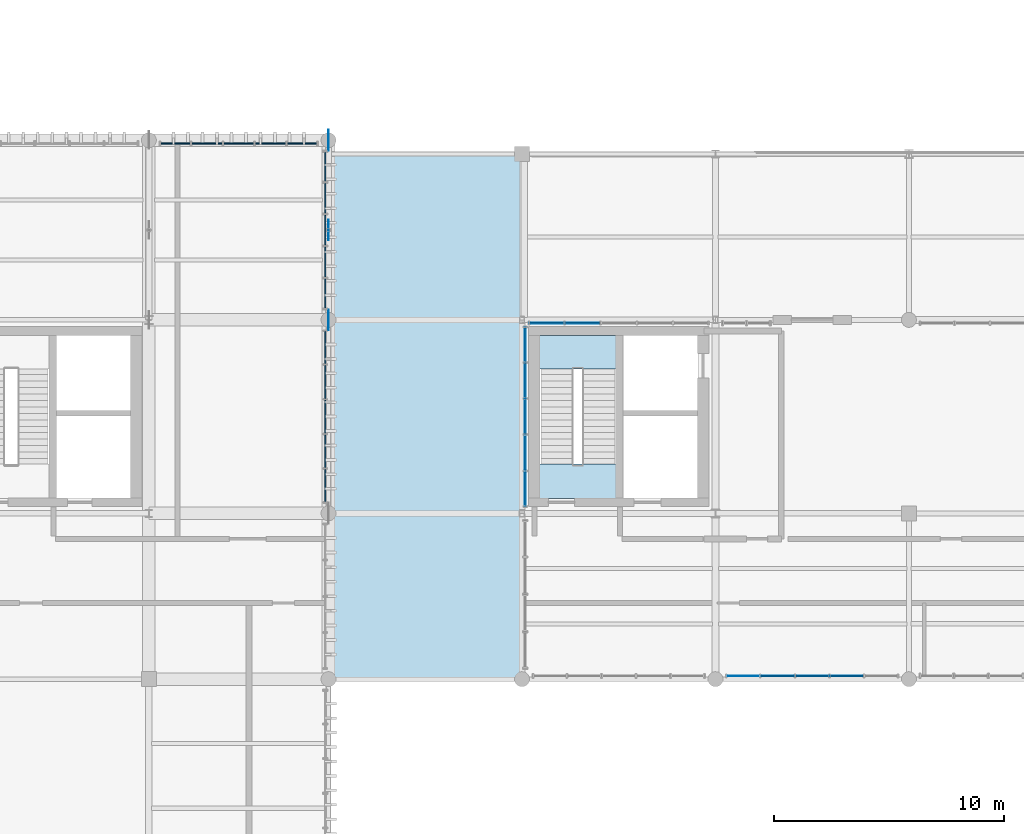
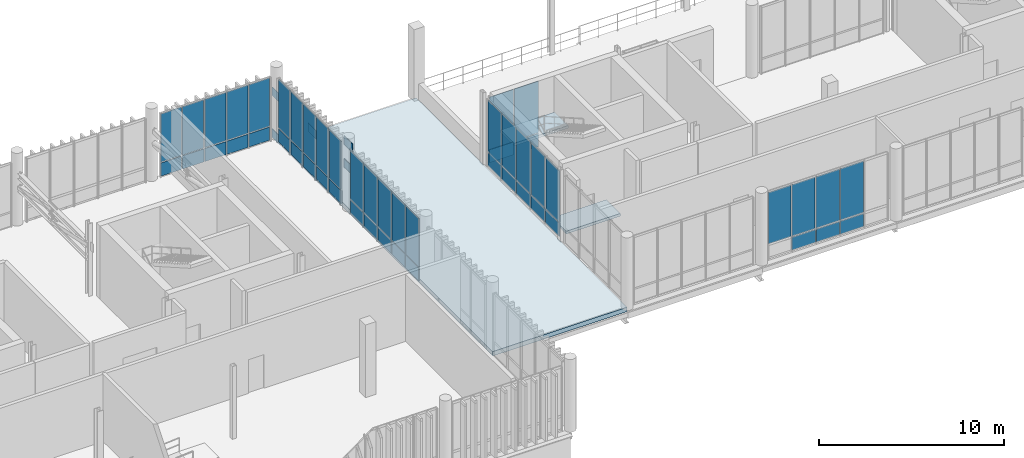
# One storey, part 62 of 81: 57 plates, 3 slabs, 7 elements without a shape of their own.
"""IFC4 building model written with IfcOpenShell, lengths in metres."""

from ifc_helpers import new_model, si_unit, direction, frame, frame_2d, origin_with_axes, origin_2d_with_axis, place, context, subcontext, project, spatial, polyline, rectangle, outline, extrude, material, layer, layer_set, type_object, element, aggregate, save


model = new_model("IFC4")

# Units and contexts
model_context = context("Model", 3, precision=1e-05, world=origin_with_axes(), true_north=direction((0.0, 1.0)))
body_context = subcontext(model_context, "Body", "Model", "MODEL_VIEW")
ifc_project = project(units=[si_unit("LENGTHUNIT", "METRE"), si_unit("AREAUNIT", "SQUARE_METRE"), si_unit("VOLUMEUNIT", "CUBIC_METRE"), si_unit("PLANEANGLEUNIT", "RADIAN"), si_unit("MASSUNIT", "GRAM", prefix="KILO"), si_unit("THERMODYNAMICTEMPERATUREUNIT", "KELVIN")], contexts=[model_context])

# Site, building, storey
site_placement = place(None, origin_with_axes())
site = spatial("IfcSite", under=ifc_project, at=site_placement, CompositionType="ELEMENT")
building_placement = place(site_placement, origin_with_axes())
building = spatial("IfcBuilding", under=site, at=building_placement, Name="Montbau Bow Law Courts", CompositionType="ELEMENT")
storey_placement = place(building_placement, frame((0.0, 0.0, 24.9), z_axis=(0.0, 0.0, 1.0), x_axis=(1.0, 0.0, 0.0)))
storey = spatial("IfcBuildingStorey", under=building, at=storey_placement, Name="L05", CompositionType="ELEMENT", Elevation=24.9)

# Curtain wall, plates
ifc_material_1 = material(Name="Thermally Broken Extruded Aluminium AA 6063-T6", Category="aluminium")
curtain_wall_type_1 = type_object("IfcCurtainWallType", Name="CW-TRC-02", PredefinedType="NOTDEFINED", material=ifc_material_1)
curtain_wall_1_placement = place(None, frame((39.44, 62.26, 24.9), z_axis=(0.0, 0.0, 1.0), x_axis=(1.0, 0.0, 0.0)))
curtain_wall_1 = element("IfcCurtainWall", 1, at=curtain_wall_1_placement, inside=storey, type_object=curtain_wall_type_1, Name="CW-L05-085:cw_0085", PredefinedType="NOTDEFINED")
ifc_material_2 = material(Name="Triple-Glazed Low-E Argon Insulating Glass Unit", Category="glass")
ifc_layer_1 = layer(ifc_material_2, 0.044, Name="Curtain Panel", Category="glass")
ifc_layer_set_1 = layer_set([ifc_layer_1], Name="Triple-Glazed Low-E Argon Insulating Glass Unit")
plate_type_1 = type_object("IfcPlateType", Name="PL-CWP-01", PredefinedType="CURTAIN_PANEL", material=ifc_layer_set_1)
plate_1_placement = place(None, frame((39.508, 62.26, 25.88), z_axis=(0.0, -1.0, 0.0), x_axis=(1.0, 0.0, 0.0)))
plate_1 = element("IfcPlate", 2, at=plate_1_placement, type_object=plate_type_1, Name="CW-L05-085-P01-2:cw_0085_P01_2", PredefinedType="CURTAIN_PANEL", context=body_context, shape_type="SweptSolid", body=[
    extrude(rectangle(XDim=1.281, YDim=3.184, at=frame_2d((0.6405, 1.592), x_axis=(1.0, 0.0))), frame((0.0, 0.0, -0.022), z_axis=(0.0, 0.0, 1.0), x_axis=(1.0, 0.0, 0.0)), (0.0, 0.0, 1.0), 0.044),
])
plate_2_placement = place(None, frame((40.858, 62.26, 25.88), z_axis=(0.0, -1.0, 0.0), x_axis=(1.0, 0.0, 0.0)))
plate_2 = element("IfcPlate", 3, at=plate_2_placement, type_object=plate_type_1, Name="CW-L05-085-P02-2:cw_0085_P02_2", PredefinedType="CURTAIN_PANEL", context=body_context, shape_type="SweptSolid", body=[
    extrude(rectangle(XDim=1.315, YDim=3.184, at=frame_2d((0.6575, 1.592), x_axis=(1.0, 0.0))), frame((0.0, 0.0, -0.022), z_axis=(0.0, 0.0, 1.0), x_axis=(1.0, 0.0, 0.0)), (0.0, 0.0, 1.0), 0.044),
])
plate_3_placement = place(None, frame((42.242, 62.26, 25.88), z_axis=(0.0, -1.0, 0.0), x_axis=(1.0, 0.0, 0.0)))
plate_3 = element("IfcPlate", 4, at=plate_3_placement, type_object=plate_type_1, Name="CW-L05-085-P03-2:cw_0085_P03_2", PredefinedType="CURTAIN_PANEL", context=body_context, shape_type="SweptSolid", body=[
    extrude(rectangle(XDim=1.316, YDim=3.184, at=frame_2d((0.658, 1.592), x_axis=(1.0, 0.0))), frame((0.0, 0.0, -0.022), z_axis=(0.0, 0.0, 1.0), x_axis=(1.0, 0.0, 0.0)), (0.0, 0.0, 1.0), 0.044),
])
plate_4_placement = place(None, frame((43.626, 62.26, 25.88), z_axis=(0.0, -1.0, 0.0), x_axis=(1.0, 0.0, 0.0)))
plate_4 = element("IfcPlate", 5, at=plate_4_placement, type_object=plate_type_1, Name="CW-L05-085-P04-2:cw_0085_P04_2", PredefinedType="CURTAIN_PANEL", context=body_context, shape_type="SweptSolid", body=[
    extrude(rectangle(XDim=1.316, YDim=3.184, at=frame_2d((0.658, 1.592), x_axis=(1.0, 0.0))), frame((0.0, 0.0, -0.022), z_axis=(0.0, 0.0, 1.0), x_axis=(1.0, 0.0, 0.0)), (0.0, 0.0, 1.0), 0.044),
])
plate_5_placement = place(None, frame((45.01, 62.26, 25.88), z_axis=(0.0, -1.0, 0.0), x_axis=(1.0, 0.0, 0.0)))
plate_5 = element("IfcPlate", 6, at=plate_5_placement, type_object=plate_type_1, Name="CW-L05-085-P05-2:cw_0085_P05_2", PredefinedType="CURTAIN_PANEL", context=body_context, shape_type="SweptSolid", body=[
    extrude(rectangle(XDim=1.284, YDim=3.184, at=frame_2d((0.642, 1.592), x_axis=(1.0, 0.0))), frame((0.0, 0.0, -0.022), z_axis=(0.0, 0.0, 1.0), x_axis=(1.0, 0.0, 0.0)), (0.0, 0.0, 1.0), 0.044),
])

curtain_wall_2_placement = place(None, frame((46.66, 46.64, 24.9), z_axis=(0.0, 0.0, 1.0), x_axis=(1.0, 0.0, 0.0)))
curtain_wall_2 = element("IfcCurtainWall", 7, at=curtain_wall_2_placement, inside=storey, type_object=curtain_wall_type_1, Name="CW-L05-092:cw_0092", PredefinedType="NOTDEFINED")
plate_6_placement = place(None, frame((46.66, 46.702, 25.882), z_axis=(1.0, 0.0, 0.0), x_axis=(0.0, 1.0, 0.0)))
plate_6 = element("IfcPlate", 8, at=plate_6_placement, type_object=plate_type_1, Name="CW-L05-092-P01-2:cw_0092_P01_2", PredefinedType="CURTAIN_PANEL", context=body_context, shape_type="SweptSolid", body=[
    extrude(rectangle(XDim=1.41, YDim=3.176, at=frame_2d((0.705, 1.588), x_axis=(1.0, 0.0))), frame((0.0, 0.0, -0.022), z_axis=(0.0, 0.0, 1.0), x_axis=(1.0, 0.0, 0.0)), (0.0, 0.0, 1.0), 0.044),
])
plate_7_placement = place(None, frame((46.66, 48.176, 25.882), z_axis=(1.0, 0.0, 0.0), x_axis=(0.0, 1.0, 0.0)))
plate_7 = element("IfcPlate", 9, at=plate_7_placement, type_object=plate_type_1, Name="CW-L05-092-P02-2:cw_0092_P02_2", PredefinedType="CURTAIN_PANEL", context=body_context, shape_type="SweptSolid", body=[
    extrude(rectangle(XDim=1.44, YDim=3.176, at=frame_2d((0.72, 1.588), x_axis=(1.0, 0.0))), frame((0.0, 0.0, -0.022), z_axis=(0.0, 0.0, 1.0), x_axis=(1.0, 0.0, 0.0)), (0.0, 0.0, 1.0), 0.044),
])
plate_8_placement = place(None, frame((46.66, 49.68, 25.882), z_axis=(1.0, 0.0, 0.0), x_axis=(0.0, 1.0, 0.0)))
plate_8 = element("IfcPlate", 10, at=plate_8_placement, type_object=plate_type_1, Name="CW-L05-092-P03-2:cw_0092_P03_2", PredefinedType="CURTAIN_PANEL", context=body_context, shape_type="SweptSolid", body=[
    extrude(rectangle(XDim=1.44, YDim=3.176, at=frame_2d((0.72, 1.588), x_axis=(1.0, 0.0))), frame((0.0, 0.0, -0.022), z_axis=(0.0, 0.0, 1.0), x_axis=(1.0, 0.0, 0.0)), (0.0, 0.0, 1.0), 0.044),
])
plate_9_placement = place(None, frame((46.66, 51.184, 25.882), z_axis=(1.0, 0.0, 0.0), x_axis=(0.0, 1.0, 0.0)))
plate_9 = element("IfcPlate", 11, at=plate_9_placement, type_object=plate_type_1, Name="CW-L05-092-P04-2:cw_0092_P04_2", PredefinedType="CURTAIN_PANEL", context=body_context, shape_type="SweptSolid", body=[
    extrude(rectangle(XDim=1.44, YDim=3.176, at=frame_2d((0.72, 1.588), x_axis=(1.0, 0.0))), frame((0.0, 0.0, -0.022), z_axis=(0.0, 0.0, 1.0), x_axis=(1.0, 0.0, 0.0)), (0.0, 0.0, 1.0), 0.044),
])
plate_10_placement = place(None, frame((46.66, 52.688, 25.882), z_axis=(1.0, 0.0, 0.0), x_axis=(0.0, 1.0, 0.0)))
plate_10 = element("IfcPlate", 12, at=plate_10_placement, type_object=plate_type_1, Name="CW-L05-092-P05-2:cw_0092_P05_2", PredefinedType="CURTAIN_PANEL", context=body_context, shape_type="SweptSolid", body=[
    extrude(rectangle(XDim=1.41, YDim=3.176, at=frame_2d((0.705, 1.588), x_axis=(1.0, 0.0))), frame((0.0, 0.0, -0.022), z_axis=(0.0, 0.0, 1.0), x_axis=(1.0, 0.0, 0.0)), (0.0, 0.0, 1.0), 0.044),
])

curtain_wall_3_placement = place(None, frame((46.66, 55.04, 24.9), z_axis=(0.0, 0.0, 1.0), x_axis=(1.0, 0.0, 0.0)))
curtain_wall_3 = element("IfcCurtainWall", 13, at=curtain_wall_3_placement, inside=storey, type_object=curtain_wall_type_1, Name="CW-L05-093:cw_0093", PredefinedType="NOTDEFINED")
plate_11_placement = place(None, frame((46.66, 55.116, 25.88), z_axis=(1.0, 0.0, 0.0), x_axis=(0.0, 1.0, 0.0)))
plate_11 = element("IfcPlate", 14, at=plate_11_placement, type_object=plate_type_1, Name="CW-L05-093-P01-2:cw_0093_P01_2", PredefinedType="CURTAIN_PANEL", context=body_context, shape_type="SweptSolid", body=[
    extrude(rectangle(XDim=1.268, YDim=3.184, at=frame_2d((0.634, 1.592), x_axis=(1.0, 0.0))), frame((0.0, 0.0, -0.022), z_axis=(0.0, 0.0, 1.0), x_axis=(1.0, 0.0, 0.0)), (0.0, 0.0, 1.0), 0.044),
])
plate_12_placement = place(None, frame((46.66, 56.463, 25.88), z_axis=(1.0, 0.0, 0.0), x_axis=(0.0, 1.0, 0.0)))
plate_12 = element("IfcPlate", 15, at=plate_12_placement, type_object=plate_type_1, Name="CW-L05-093-P02-2:cw_0093_P02_2", PredefinedType="CURTAIN_PANEL", context=body_context, shape_type="SweptSolid", body=[
    extrude(rectangle(XDim=1.305, YDim=3.184, at=frame_2d((0.6525, 1.592), x_axis=(1.0, 0.0))), frame((0.0, 0.0, -0.022), z_axis=(0.0, 0.0, 1.0), x_axis=(1.0, 0.0, 0.0)), (0.0, 0.0, 1.0), 0.044),
])
plate_13_placement = place(None, frame((46.66, 57.847, 25.88), z_axis=(1.0, 0.0, 0.0), x_axis=(0.0, 1.0, 0.0)))
plate_13 = element("IfcPlate", 16, at=plate_13_placement, type_object=plate_type_1, Name="CW-L05-093-P03-2:cw_0093_P03_2", PredefinedType="CURTAIN_PANEL", context=body_context, shape_type="SweptSolid", body=[
    extrude(rectangle(XDim=1.306, YDim=3.184, at=frame_2d((0.653, 1.592), x_axis=(1.0, 0.0))), frame((0.0, 0.0, -0.022), z_axis=(0.0, 0.0, 1.0), x_axis=(1.0, 0.0, 0.0)), (0.0, 0.0, 1.0), 0.044),
])
plate_14_placement = place(None, frame((46.66, 59.231, 25.88), z_axis=(1.0, 0.0, 0.0), x_axis=(0.0, 1.0, 0.0)))
plate_14 = element("IfcPlate", 17, at=plate_14_placement, type_object=plate_type_1, Name="CW-L05-093-P04-2:cw_0093_P04_2", PredefinedType="CURTAIN_PANEL", context=body_context, shape_type="SweptSolid", body=[
    extrude(rectangle(XDim=1.306, YDim=3.184, at=frame_2d((0.653, 1.592), x_axis=(1.0, 0.0))), frame((0.0, 0.0, -0.022), z_axis=(0.0, 0.0, 1.0), x_axis=(1.0, 0.0, 0.0)), (0.0, 0.0, 1.0), 0.044),
])
plate_15_placement = place(None, frame((46.66, 60.615, 25.88), z_axis=(1.0, 0.0, 0.0), x_axis=(0.0, 1.0, 0.0)))
plate_15 = element("IfcPlate", 18, at=plate_15_placement, type_object=plate_type_1, Name="CW-L05-093-P05-2:cw_0093_P05_2", PredefinedType="CURTAIN_PANEL", context=body_context, shape_type="SweptSolid", body=[
    extrude(rectangle(XDim=1.269, YDim=3.184, at=frame_2d((0.6345, 1.592), x_axis=(1.0, 0.0))), frame((0.0, 0.0, -0.022), z_axis=(0.0, 0.0, 1.0), x_axis=(1.0, 0.0, 0.0)), (0.0, 0.0, 1.0), 0.044),
])

# Plate
ifc_material_3 = material(Name="Insulated Ceramic-Frit Spandrel Glazing Unit", Category="glass")
ifc_layer_2 = layer(ifc_material_3, 0.056, Name="Curtain Panel", Category="glass")
ifc_layer_set_2 = layer_set([ifc_layer_2], Name="Insulated Ceramic-Frit Spandrel Glazing Unit")
plate_type_2 = type_object("IfcPlateType", Name="PL-CWP-02", PredefinedType="CURTAIN_PANEL", material=ifc_layer_set_2)
plate_16_placement = place(None, frame((39.508, 62.26, 24.956), z_axis=(0.0, -1.0, 0.0), x_axis=(1.0, 0.0, 0.0)))
plate_16 = element("IfcPlate", 19, at=plate_16_placement, type_object=plate_type_2, Name="CW-L05-085-P01-1:cw_0085_P01_1", PredefinedType="CURTAIN_PANEL", context=body_context, shape_type="SweptSolid", body=[
    extrude(rectangle(XDim=1.281, YDim=0.865, at=frame_2d((0.6405, 0.4325), x_axis=(1.0, 0.0))), frame((0.0, 0.0, -0.028), z_axis=(0.0, 0.0, 1.0), x_axis=(1.0, 0.0, 0.0)), (0.0, 0.0, 1.0), 0.056),
])

plate_17_placement = place(None, frame((40.858, 62.26, 24.956), z_axis=(0.0, -1.0, 0.0), x_axis=(1.0, 0.0, 0.0)))
plate_17 = element("IfcPlate", 20, at=plate_17_placement, type_object=plate_type_2, Name="CW-L05-085-P02-1:cw_0085_P02_1", PredefinedType="CURTAIN_PANEL", context=body_context, shape_type="SweptSolid", body=[
    extrude(rectangle(XDim=1.315, YDim=0.865, at=frame_2d((0.6575, 0.4325), x_axis=(1.0, 0.0))), frame((0.0, 0.0, -0.028), z_axis=(0.0, 0.0, 1.0), x_axis=(1.0, 0.0, 0.0)), (0.0, 0.0, 1.0), 0.056),
])

plate_18_placement = place(None, frame((42.242, 62.26, 24.956), z_axis=(0.0, -1.0, 0.0), x_axis=(1.0, 0.0, 0.0)))
plate_18 = element("IfcPlate", 21, at=plate_18_placement, type_object=plate_type_2, Name="CW-L05-085-P03-1:cw_0085_P03_1", PredefinedType="CURTAIN_PANEL", context=body_context, shape_type="SweptSolid", body=[
    extrude(rectangle(XDim=1.316, YDim=0.865, at=frame_2d((0.658, 0.4325), x_axis=(1.0, 0.0))), frame((0.0, 0.0, -0.028), z_axis=(0.0, 0.0, 1.0), x_axis=(1.0, 0.0, 0.0)), (0.0, 0.0, 1.0), 0.056),
])

plate_19_placement = place(None, frame((43.626, 62.26, 24.956), z_axis=(0.0, -1.0, 0.0), x_axis=(1.0, 0.0, 0.0)))
plate_19 = element("IfcPlate", 22, at=plate_19_placement, type_object=plate_type_2, Name="CW-L05-085-P04-1:cw_0085_P04_1", PredefinedType="CURTAIN_PANEL", context=body_context, shape_type="SweptSolid", body=[
    extrude(rectangle(XDim=1.316, YDim=0.865, at=frame_2d((0.658, 0.4325), x_axis=(1.0, 0.0))), frame((0.0, 0.0, -0.028), z_axis=(0.0, 0.0, 1.0), x_axis=(1.0, 0.0, 0.0)), (0.0, 0.0, 1.0), 0.056),
])

plate_20_placement = place(None, frame((45.01, 62.26, 24.956), z_axis=(0.0, -1.0, 0.0), x_axis=(1.0, 0.0, 0.0)))
plate_20 = element("IfcPlate", 23, at=plate_20_placement, type_object=plate_type_2, Name="CW-L05-085-P05-1:cw_0085_P05_1", PredefinedType="CURTAIN_PANEL", context=body_context, shape_type="SweptSolid", body=[
    extrude(rectangle(XDim=1.284, YDim=0.865, at=frame_2d((0.642, 0.4325), x_axis=(1.0, 0.0))), frame((0.0, 0.0, -0.028), z_axis=(0.0, 0.0, 1.0), x_axis=(1.0, 0.0, 0.0)), (0.0, 0.0, 1.0), 0.056),
])

aggregate(curtain_wall_1, [plate_16, plate_1, plate_17, plate_2, plate_18, plate_3, plate_19, plate_4, plate_20, plate_5])

plate_21_placement = place(None, frame((46.66, 46.702, 24.962), z_axis=(1.0, 0.0, 0.0), x_axis=(0.0, 1.0, 0.0)))
plate_21 = element("IfcPlate", 24, at=plate_21_placement, type_object=plate_type_2, Name="CW-L05-092-P01-1:cw_0092_P01_1", PredefinedType="CURTAIN_PANEL", context=body_context, shape_type="SweptSolid", body=[
    extrude(rectangle(XDim=1.41, YDim=0.856, at=frame_2d((0.705, 0.428), x_axis=(1.0, 0.0))), frame((0.0, 0.0, -0.028), z_axis=(0.0, 0.0, 1.0), x_axis=(1.0, 0.0, 0.0)), (0.0, 0.0, 1.0), 0.056),
])

plate_22_placement = place(None, frame((46.66, 48.176, 24.962), z_axis=(1.0, 0.0, 0.0), x_axis=(0.0, 1.0, 0.0)))
plate_22 = element("IfcPlate", 25, at=plate_22_placement, type_object=plate_type_2, Name="CW-L05-092-P02-1:cw_0092_P02_1", PredefinedType="CURTAIN_PANEL", context=body_context, shape_type="SweptSolid", body=[
    extrude(rectangle(XDim=1.44, YDim=0.856, at=frame_2d((0.72, 0.428), x_axis=(1.0, 0.0))), frame((0.0, 0.0, -0.028), z_axis=(0.0, 0.0, 1.0), x_axis=(1.0, 0.0, 0.0)), (0.0, 0.0, 1.0), 0.056),
])

plate_23_placement = place(None, frame((46.66, 49.68, 24.962), z_axis=(1.0, 0.0, 0.0), x_axis=(0.0, 1.0, 0.0)))
plate_23 = element("IfcPlate", 26, at=plate_23_placement, type_object=plate_type_2, Name="CW-L05-092-P03-1:cw_0092_P03_1", PredefinedType="CURTAIN_PANEL", context=body_context, shape_type="SweptSolid", body=[
    extrude(rectangle(XDim=1.44, YDim=0.856, at=frame_2d((0.72, 0.428), x_axis=(1.0, 0.0))), frame((0.0, 0.0, -0.028), z_axis=(0.0, 0.0, 1.0), x_axis=(1.0, 0.0, 0.0)), (0.0, 0.0, 1.0), 0.056),
])

plate_24_placement = place(None, frame((46.66, 51.184, 24.962), z_axis=(1.0, 0.0, 0.0), x_axis=(0.0, 1.0, 0.0)))
plate_24 = element("IfcPlate", 27, at=plate_24_placement, type_object=plate_type_2, Name="CW-L05-092-P04-1:cw_0092_P04_1", PredefinedType="CURTAIN_PANEL", context=body_context, shape_type="SweptSolid", body=[
    extrude(rectangle(XDim=1.44, YDim=0.856, at=frame_2d((0.72, 0.428), x_axis=(1.0, 0.0))), frame((0.0, 0.0, -0.028), z_axis=(0.0, 0.0, 1.0), x_axis=(1.0, 0.0, 0.0)), (0.0, 0.0, 1.0), 0.056),
])

plate_25_placement = place(None, frame((46.66, 52.688, 24.962), z_axis=(1.0, 0.0, 0.0), x_axis=(0.0, 1.0, 0.0)))
plate_25 = element("IfcPlate", 28, at=plate_25_placement, type_object=plate_type_2, Name="CW-L05-092-P05-1:cw_0092_P05_1", PredefinedType="CURTAIN_PANEL", context=body_context, shape_type="SweptSolid", body=[
    extrude(rectangle(XDim=1.41, YDim=0.856, at=frame_2d((0.705, 0.428), x_axis=(1.0, 0.0))), frame((0.0, 0.0, -0.028), z_axis=(0.0, 0.0, 1.0), x_axis=(1.0, 0.0, 0.0)), (0.0, 0.0, 1.0), 0.056),
])

aggregate(curtain_wall_2, [plate_21, plate_6, plate_22, plate_7, plate_23, plate_8, plate_24, plate_9, plate_25, plate_10])

plate_26_placement = place(None, frame((46.66, 55.116, 24.956), z_axis=(1.0, 0.0, 0.0), x_axis=(0.0, 1.0, 0.0)))
plate_26 = element("IfcPlate", 29, at=plate_26_placement, type_object=plate_type_2, Name="CW-L05-093-P01-1:cw_0093_P01_1", PredefinedType="CURTAIN_PANEL", context=body_context, shape_type="SweptSolid", body=[
    extrude(rectangle(XDim=1.268, YDim=0.865, at=frame_2d((0.634, 0.4325), x_axis=(1.0, 0.0))), frame((0.0, 0.0, -0.028), z_axis=(0.0, 0.0, 1.0), x_axis=(1.0, 0.0, 0.0)), (0.0, 0.0, 1.0), 0.056),
])

plate_27_placement = place(None, frame((46.66, 56.463, 24.956), z_axis=(1.0, 0.0, 0.0), x_axis=(0.0, 1.0, 0.0)))
plate_27 = element("IfcPlate", 30, at=plate_27_placement, type_object=plate_type_2, Name="CW-L05-093-P02-1:cw_0093_P02_1", PredefinedType="CURTAIN_PANEL", context=body_context, shape_type="SweptSolid", body=[
    extrude(rectangle(XDim=1.305, YDim=0.865, at=frame_2d((0.6525, 0.4325), x_axis=(1.0, 0.0))), frame((0.0, 0.0, -0.028), z_axis=(0.0, 0.0, 1.0), x_axis=(1.0, 0.0, 0.0)), (0.0, 0.0, 1.0), 0.056),
])

plate_28_placement = place(None, frame((46.66, 57.847, 24.956), z_axis=(1.0, 0.0, 0.0), x_axis=(0.0, 1.0, 0.0)))
plate_28 = element("IfcPlate", 31, at=plate_28_placement, type_object=plate_type_2, Name="CW-L05-093-P03-1:cw_0093_P03_1", PredefinedType="CURTAIN_PANEL", context=body_context, shape_type="SweptSolid", body=[
    extrude(rectangle(XDim=1.306, YDim=0.865, at=frame_2d((0.653, 0.4325), x_axis=(1.0, 0.0))), frame((0.0, 0.0, -0.028), z_axis=(0.0, 0.0, 1.0), x_axis=(1.0, 0.0, 0.0)), (0.0, 0.0, 1.0), 0.056),
])

plate_29_placement = place(None, frame((46.66, 59.231, 24.956), z_axis=(1.0, 0.0, 0.0), x_axis=(0.0, 1.0, 0.0)))
plate_29 = element("IfcPlate", 32, at=plate_29_placement, type_object=plate_type_2, Name="CW-L05-093-P04-1:cw_0093_P04_1", PredefinedType="CURTAIN_PANEL", context=body_context, shape_type="SweptSolid", body=[
    extrude(rectangle(XDim=1.306, YDim=0.865, at=frame_2d((0.653, 0.4325), x_axis=(1.0, 0.0))), frame((0.0, 0.0, -0.028), z_axis=(0.0, 0.0, 1.0), x_axis=(1.0, 0.0, 0.0)), (0.0, 0.0, 1.0), 0.056),
])

plate_30_placement = place(None, frame((46.66, 60.615, 24.956), z_axis=(1.0, 0.0, 0.0), x_axis=(0.0, 1.0, 0.0)))
plate_30 = element("IfcPlate", 33, at=plate_30_placement, type_object=plate_type_2, Name="CW-L05-093-P05-1:cw_0093_P05_1", PredefinedType="CURTAIN_PANEL", context=body_context, shape_type="SweptSolid", body=[
    extrude(rectangle(XDim=1.269, YDim=0.865, at=frame_2d((0.6345, 0.4325), x_axis=(1.0, 0.0))), frame((0.0, 0.0, -0.028), z_axis=(0.0, 0.0, 1.0), x_axis=(1.0, 0.0, 0.0)), (0.0, 0.0, 1.0), 0.056),
])

aggregate(curtain_wall_3, [plate_26, plate_11, plate_27, plate_12, plate_28, plate_13, plate_29, plate_14, plate_30, plate_15])

# Curtain wall, plates
curtain_wall_type_2 = type_object("IfcCurtainWallType", Name="CW-NCK-02", PredefinedType="NOTDEFINED", material=ifc_material_1)
curtain_wall_4_placement = place(None, frame((64.04, 39.14, 24.9), z_axis=(0.0, 0.0, 1.0), x_axis=(1.0, 0.0, 0.0)))
curtain_wall_4 = element("IfcCurtainWall", 34, at=curtain_wall_4_placement, inside=storey, type_object=curtain_wall_type_2, Name="CW-L05-212:cw_0212", PredefinedType="NOTDEFINED")
plate_31_placement = place(None, frame((65.576, 39.14, 24.962), z_axis=(0.0, -1.0, 0.0), x_axis=(1.0, 0.0, 0.0)))
plate_31 = element("IfcPlate", 35, at=plate_31_placement, type_object=plate_type_2, Name="CW-L05-212-P02-1:cw_0212_P02_1", PredefinedType="CURTAIN_PANEL", context=body_context, shape_type="SweptSolid", body=[
    extrude(rectangle(XDim=1.44, YDim=0.856, at=frame_2d((0.72, 0.428), x_axis=(1.0, 0.0))), frame((0.0, 0.0, -0.028), z_axis=(0.0, 0.0, 1.0), x_axis=(1.0, 0.0, 0.0)), (0.0, 0.0, 1.0), 0.056),
])
plate_32_placement = place(None, frame((67.08, 39.14, 24.962), z_axis=(0.0, -1.0, 0.0), x_axis=(1.0, 0.0, 0.0)))
plate_32 = element("IfcPlate", 36, at=plate_32_placement, type_object=plate_type_2, Name="CW-L05-212-P03-1:cw_0212_P03_1", PredefinedType="CURTAIN_PANEL", context=body_context, shape_type="SweptSolid", body=[
    extrude(rectangle(XDim=1.44, YDim=0.856, at=frame_2d((0.72, 0.428), x_axis=(1.0, 0.0))), frame((0.0, 0.0, -0.028), z_axis=(0.0, 0.0, 1.0), x_axis=(1.0, 0.0, 0.0)), (0.0, 0.0, 1.0), 0.056),
])
plate_33_placement = place(None, frame((68.584, 39.14, 24.962), z_axis=(0.0, -1.0, 0.0), x_axis=(1.0, 0.0, 0.0)))
plate_33 = element("IfcPlate", 37, at=plate_33_placement, type_object=plate_type_2, Name="CW-L05-212-P04-1:cw_0212_P04_1", PredefinedType="CURTAIN_PANEL", context=body_context, shape_type="SweptSolid", body=[
    extrude(rectangle(XDim=1.44, YDim=0.856, at=frame_2d((0.72, 0.428), x_axis=(1.0, 0.0))), frame((0.0, 0.0, -0.028), z_axis=(0.0, 0.0, 1.0), x_axis=(1.0, 0.0, 0.0)), (0.0, 0.0, 1.0), 0.056),
])

curtain_wall_5_placement = place(None, frame((55.468, 54.46, 24.9), z_axis=(0.0, 0.0, 1.0), x_axis=(1.0, 0.0, 0.0)))
curtain_wall_5 = element("IfcCurtainWall", 38, at=curtain_wall_5_placement, inside=storey, type_object=curtain_wall_type_2, Name="CW-L05-215:cw_0215", PredefinedType="NOTDEFINED")
plate_34_placement = place(None, frame((55.53, 54.46, 24.956), z_axis=(0.0, -1.0, 0.0), x_axis=(1.0, 0.0, 0.0)))
plate_34 = element("IfcPlate", 39, at=plate_34_placement, type_object=plate_type_2, Name="CW-L05-215-P01-1:cw_0215_P01_1", PredefinedType="CURTAIN_PANEL", context=body_context, shape_type="SweptSolid", body=[
    extrude(rectangle(XDim=1.479, YDim=0.865, at=frame_2d((0.7395, 0.4325), x_axis=(1.0, 0.0))), frame((0.0, 0.0, -0.028), z_axis=(0.0, 0.0, 1.0), x_axis=(1.0, 0.0, 0.0)), (0.0, 0.0, 1.0), 0.056),
])
plate_35_placement = place(None, frame((57.073, 54.46, 24.956), z_axis=(0.0, -1.0, 0.0), x_axis=(1.0, 0.0, 0.0)))
plate_35 = element("IfcPlate", 40, at=plate_35_placement, type_object=plate_type_2, Name="CW-L05-215-P02-1:cw_0215_P02_1", PredefinedType="CURTAIN_PANEL", context=body_context, shape_type="SweptSolid", body=[
    extrude(rectangle(XDim=1.509, YDim=0.865, at=frame_2d((0.7545, 0.4325), x_axis=(1.0, 0.0))), frame((0.0, 0.0, -0.028), z_axis=(0.0, 0.0, 1.0), x_axis=(1.0, 0.0, 0.0)), (0.0, 0.0, 1.0), 0.056),
])

curtain_wall_6_placement = place(None, frame((55.34, 46.468, 24.9), z_axis=(0.0, 0.0, 1.0), x_axis=(1.0, 0.0, 0.0)))
curtain_wall_6 = element("IfcCurtainWall", 41, at=curtain_wall_6_placement, inside=storey, type_object=curtain_wall_type_2, Name="CW-L05-220:cw_0220", PredefinedType="NOTDEFINED")
plate_36_placement = place(None, frame((55.34, 46.536, 24.962), z_axis=(1.0, 0.0, 0.0), x_axis=(0.0, 1.0, 0.0)))
plate_36 = element("IfcPlate", 42, at=plate_36_placement, type_object=plate_type_2, Name="CW-L05-220-P01-1:cw_0220_P01_1", PredefinedType="CURTAIN_PANEL", context=body_context, shape_type="SweptSolid", body=[
    extrude(rectangle(XDim=1.47, YDim=0.856, at=frame_2d((0.735, 0.428), x_axis=(1.0, 0.0))), frame((0.0, 0.0, -0.028), z_axis=(0.0, 0.0, 1.0), x_axis=(1.0, 0.0, 0.0)), (0.0, 0.0, 1.0), 0.056),
])
plate_37_placement = place(None, frame((55.34, 48.075, 24.962), z_axis=(1.0, 0.0, 0.0), x_axis=(0.0, 1.0, 0.0)))
plate_37 = element("IfcPlate", 43, at=plate_37_placement, type_object=plate_type_2, Name="CW-L05-220-P02-1:cw_0220_P02_1", PredefinedType="CURTAIN_PANEL", context=body_context, shape_type="SweptSolid", body=[
    extrude(rectangle(XDim=1.504, YDim=0.856, at=frame_2d((0.752, 0.428), x_axis=(1.0, 0.0))), frame((0.0, 0.0, -0.028), z_axis=(0.0, 0.0, 1.0), x_axis=(1.0, 0.0, 0.0)), (0.0, 0.0, 1.0), 0.056),
])
plate_38_placement = place(None, frame((55.34, 49.648, 24.962), z_axis=(1.0, 0.0, 0.0), x_axis=(0.0, 1.0, 0.0)))
plate_38 = element("IfcPlate", 44, at=plate_38_placement, type_object=plate_type_2, Name="CW-L05-220-P03-1:cw_0220_P03_1", PredefinedType="CURTAIN_PANEL", context=body_context, shape_type="SweptSolid", body=[
    extrude(rectangle(XDim=1.504, YDim=0.856, at=frame_2d((0.752, 0.428), x_axis=(1.0, 0.0))), frame((0.0, 0.0, -0.028), z_axis=(0.0, 0.0, 1.0), x_axis=(1.0, 0.0, 0.0)), (0.0, 0.0, 1.0), 0.056),
])
plate_39_placement = place(None, frame((55.34, 51.22, 24.962), z_axis=(1.0, 0.0, 0.0), x_axis=(0.0, 1.0, 0.0)))
plate_39 = element("IfcPlate", 45, at=plate_39_placement, type_object=plate_type_2, Name="CW-L05-220-P04-1:cw_0220_P04_1", PredefinedType="CURTAIN_PANEL", context=body_context, shape_type="SweptSolid", body=[
    extrude(rectangle(XDim=1.505, YDim=0.856, at=frame_2d((0.7525, 0.428), x_axis=(1.0, 0.0))), frame((0.0, 0.0, -0.028), z_axis=(0.0, 0.0, 1.0), x_axis=(1.0, 0.0, 0.0)), (0.0, 0.0, 1.0), 0.056),
])
plate_40_placement = place(None, frame((55.34, 52.793, 24.962), z_axis=(1.0, 0.0, 0.0), x_axis=(0.0, 1.0, 0.0)))
plate_40 = element("IfcPlate", 46, at=plate_40_placement, type_object=plate_type_2, Name="CW-L05-220-P05-1:cw_0220_P05_1", PredefinedType="CURTAIN_PANEL", context=body_context, shape_type="SweptSolid", body=[
    extrude(rectangle(XDim=1.472, YDim=0.856, at=frame_2d((0.736, 0.428), x_axis=(1.0, 0.0))), frame((0.0, 0.0, -0.028), z_axis=(0.0, 0.0, 1.0), x_axis=(1.0, 0.0, 0.0)), (0.0, 0.0, 1.0), 0.056),
])

# Plate
ifc_material_4 = material(Name="Triple-Glazed Winter-Garden Vision Unit", Category="glass")
ifc_layer_3 = layer(ifc_material_4, 0.036, Name="Curtain Panel", Category="glass")
ifc_layer_set_3 = layer_set([ifc_layer_3], Name="Triple-Glazed Winter-Garden Vision Unit")
plate_type_3 = type_object("IfcPlateType", Name="PL-CWP-03", PredefinedType="CURTAIN_PANEL", material=ifc_layer_set_3)
plate_41_placement = place(None, frame((64.102, 39.14, 25.882), z_axis=(0.0, -1.0, 0.0), x_axis=(1.0, 0.0, 0.0)))
plate_41 = element("IfcPlate", 47, at=plate_41_placement, type_object=plate_type_3, Name="CW-L05-212-P01-2:cw_0212_P01_2", PredefinedType="CURTAIN_PANEL", context=body_context, shape_type="SweptSolid", body=[
    extrude(rectangle(XDim=1.41, YDim=3.396, at=frame_2d((0.705, 1.698), x_axis=(1.0, 0.0))), frame((0.0, 0.0, -0.018), z_axis=(0.0, 0.0, 1.0), x_axis=(1.0, 0.0, 0.0)), (0.0, 0.0, 1.0), 0.036),
])

plate_42_placement = place(None, frame((65.576, 39.14, 25.882), z_axis=(0.0, -1.0, 0.0), x_axis=(1.0, 0.0, 0.0)))
plate_42 = element("IfcPlate", 48, at=plate_42_placement, type_object=plate_type_3, Name="CW-L05-212-P02-2:cw_0212_P02_2", PredefinedType="CURTAIN_PANEL", context=body_context, shape_type="SweptSolid", body=[
    extrude(rectangle(XDim=1.44, YDim=3.396, at=frame_2d((0.72, 1.698), x_axis=(1.0, 0.0))), frame((0.0, 0.0, -0.018), z_axis=(0.0, 0.0, 1.0), x_axis=(1.0, 0.0, 0.0)), (0.0, 0.0, 1.0), 0.036),
])

plate_43_placement = place(None, frame((67.08, 39.14, 25.882), z_axis=(0.0, -1.0, 0.0), x_axis=(1.0, 0.0, 0.0)))
plate_43 = element("IfcPlate", 49, at=plate_43_placement, type_object=plate_type_3, Name="CW-L05-212-P03-2:cw_0212_P03_2", PredefinedType="CURTAIN_PANEL", context=body_context, shape_type="SweptSolid", body=[
    extrude(rectangle(XDim=1.44, YDim=3.396, at=frame_2d((0.72, 1.698), x_axis=(1.0, 0.0))), frame((0.0, 0.0, -0.018), z_axis=(0.0, 0.0, 1.0), x_axis=(1.0, 0.0, 0.0)), (0.0, 0.0, 1.0), 0.036),
])

plate_44_placement = place(None, frame((68.584, 39.14, 25.882), z_axis=(0.0, -1.0, 0.0), x_axis=(1.0, 0.0, 0.0)))
plate_44 = element("IfcPlate", 50, at=plate_44_placement, type_object=plate_type_3, Name="CW-L05-212-P04-2:cw_0212_P04_2", PredefinedType="CURTAIN_PANEL", context=body_context, shape_type="SweptSolid", body=[
    extrude(rectangle(XDim=1.44, YDim=3.396, at=frame_2d((0.72, 1.698), x_axis=(1.0, 0.0))), frame((0.0, 0.0, -0.018), z_axis=(0.0, 0.0, 1.0), x_axis=(1.0, 0.0, 0.0)), (0.0, 0.0, 1.0), 0.036),
])

aggregate(curtain_wall_4, [plate_41, plate_31, plate_42, plate_32, plate_43, plate_33, plate_44])

plate_45_placement = place(None, frame((55.53, 54.46, 25.88), z_axis=(0.0, -1.0, 0.0), x_axis=(1.0, 0.0, 0.0)))
plate_45 = element("IfcPlate", 51, at=plate_45_placement, type_object=plate_type_3, Name="CW-L05-215-P01-2:cw_0215_P01_2", PredefinedType="CURTAIN_PANEL", context=body_context, shape_type="SweptSolid", body=[
    extrude(rectangle(XDim=1.479, YDim=3.403, at=frame_2d((0.7395, 1.7015), x_axis=(1.0, 0.0))), frame((0.0, 0.0, -0.018), z_axis=(0.0, 0.0, 1.0), x_axis=(1.0, 0.0, 0.0)), (0.0, 0.0, 1.0), 0.036),
])

plate_46_placement = place(None, frame((57.073, 54.46, 25.88), z_axis=(0.0, -1.0, 0.0), x_axis=(1.0, 0.0, 0.0)))
plate_46 = element("IfcPlate", 52, at=plate_46_placement, type_object=plate_type_3, Name="CW-L05-215-P02-2:cw_0215_P02_2", PredefinedType="CURTAIN_PANEL", context=body_context, shape_type="SweptSolid", body=[
    extrude(rectangle(XDim=1.509, YDim=3.403, at=frame_2d((0.7545, 1.7015), x_axis=(1.0, 0.0))), frame((0.0, 0.0, -0.018), z_axis=(0.0, 0.0, 1.0), x_axis=(1.0, 0.0, 0.0)), (0.0, 0.0, 1.0), 0.036),
])

aggregate(curtain_wall_5, [plate_34, plate_45, plate_35, plate_46])

plate_47_placement = place(None, frame((55.34, 46.536, 25.882), z_axis=(1.0, 0.0, 0.0), x_axis=(0.0, 1.0, 0.0)))
plate_47 = element("IfcPlate", 53, at=plate_47_placement, type_object=plate_type_3, Name="CW-L05-220-P01-2:cw_0220_P01_2", PredefinedType="CURTAIN_PANEL", context=body_context, shape_type="SweptSolid", body=[
    extrude(rectangle(XDim=1.47, YDim=3.396, at=frame_2d((0.735, 1.698), x_axis=(1.0, 0.0))), frame((0.0, 0.0, -0.018), z_axis=(0.0, 0.0, 1.0), x_axis=(1.0, 0.0, 0.0)), (0.0, 0.0, 1.0), 0.036),
])

plate_48_placement = place(None, frame((55.34, 48.075, 25.882), z_axis=(1.0, 0.0, 0.0), x_axis=(0.0, 1.0, 0.0)))
plate_48 = element("IfcPlate", 54, at=plate_48_placement, type_object=plate_type_3, Name="CW-L05-220-P02-2:cw_0220_P02_2", PredefinedType="CURTAIN_PANEL", context=body_context, shape_type="SweptSolid", body=[
    extrude(rectangle(XDim=1.504, YDim=3.396, at=frame_2d((0.752, 1.698), x_axis=(1.0, 0.0))), frame((0.0, 0.0, -0.018), z_axis=(0.0, 0.0, 1.0), x_axis=(1.0, 0.0, 0.0)), (0.0, 0.0, 1.0), 0.036),
])

plate_49_placement = place(None, frame((55.34, 49.648, 25.882), z_axis=(1.0, 0.0, 0.0), x_axis=(0.0, 1.0, 0.0)))
plate_49 = element("IfcPlate", 55, at=plate_49_placement, type_object=plate_type_3, Name="CW-L05-220-P03-2:cw_0220_P03_2", PredefinedType="CURTAIN_PANEL", context=body_context, shape_type="SweptSolid", body=[
    extrude(rectangle(XDim=1.504, YDim=3.396, at=frame_2d((0.752, 1.698), x_axis=(1.0, 0.0))), frame((0.0, 0.0, -0.018), z_axis=(0.0, 0.0, 1.0), x_axis=(1.0, 0.0, 0.0)), (0.0, 0.0, 1.0), 0.036),
])

plate_50_placement = place(None, frame((55.34, 51.22, 25.882), z_axis=(1.0, 0.0, 0.0), x_axis=(0.0, 1.0, 0.0)))
plate_50 = element("IfcPlate", 56, at=plate_50_placement, type_object=plate_type_3, Name="CW-L05-220-P04-2:cw_0220_P04_2", PredefinedType="CURTAIN_PANEL", context=body_context, shape_type="SweptSolid", body=[
    extrude(rectangle(XDim=1.505, YDim=3.396, at=frame_2d((0.7525, 1.698), x_axis=(1.0, 0.0))), frame((0.0, 0.0, -0.018), z_axis=(0.0, 0.0, 1.0), x_axis=(1.0, 0.0, 0.0)), (0.0, 0.0, 1.0), 0.036),
])

plate_51_placement = place(None, frame((55.34, 52.793, 25.882), z_axis=(1.0, 0.0, 0.0), x_axis=(0.0, 1.0, 0.0)))
plate_51 = element("IfcPlate", 57, at=plate_51_placement, type_object=plate_type_3, Name="CW-L05-220-P05-2:cw_0220_P05_2", PredefinedType="CURTAIN_PANEL", context=body_context, shape_type="SweptSolid", body=[
    extrude(rectangle(XDim=1.472, YDim=3.396, at=frame_2d((0.736, 1.698), x_axis=(1.0, 0.0))), frame((0.0, 0.0, -0.018), z_axis=(0.0, 0.0, 1.0), x_axis=(1.0, 0.0, 0.0)), (0.0, 0.0, 1.0), 0.036),
])

aggregate(curtain_wall_6, [plate_36, plate_47, plate_37, plate_48, plate_38, plate_49, plate_39, plate_50, plate_40, plate_51])

# Plates
ifc_material_5 = material(Name="Steel CSA G40.21 Grade 350WT (350 MPa)", Category="steel")
ifc_layer_4 = layer(ifc_material_5, 0.032, Name="Gusset Plate", Category="steel")
ifc_layer_set_4 = layer_set([ifc_layer_4], Name="Steel CSA G40.21 Grade 350WT (350 MPa)")
plate_type_4 = type_object("IfcPlateType", Name="PL-GUS-01", PredefinedType="USERDEFINED", material=ifc_layer_set_4)
for number, where, z_axis, x_axis, name in (
    (58, (46.8, 54.6, 27.37), (0.0, 0.0, 1.0), (0.0, 1.0, 0.0), "BGP-L05-026:plt_0057"),
    (59, (46.8, 58.5, 24.62), (0.0, 0.0, 1.0), (0.0, 1.0, 0.0), "BGP-L05-027:plt_0058"),
    (60, (46.8, 58.5, 27.37), (0.0, 0.0, 1.0), (0.0, 1.0, 0.0), "BGP-L05-028:plt_0059"),
    (61, (46.8, 62.4, 24.62), (0.0, 0.0, 1.0), (0.0, 1.0, 0.0), "BGP-L05-029:plt_0060"),
    (62, (46.8, 62.4, 27.37), (0.0, 0.0, 1.0), (0.0, 1.0, 0.0), "BGP-L05-030:plt_0061"),
    (63, (46.8, 54.6, 28.877), (0.0, 0.0, 1.0), (0.0, 1.0, 0.0), "BGP-L05-115:plt_0146"),
):
    element("IfcPlate", number, at=place(None, frame(where, z_axis=z_axis, x_axis=x_axis)), inside=storey, type_object=plate_type_4, Name=name, ObjectType="GUSSET_PLATE", PredefinedType="USERDEFINED", context=body_context, shape_type="SweptSolid", body=[
        extrude(rectangle(XDim=0.9, YDim=0.032, at=origin_2d_with_axis()), origin_with_axes(), (0.0, 0.0, 1.0), 0.56),
    ])

# Stair, slabs
ifc_material_6 = material(Name="Concrete CSA A23.1 f'c 40 MPa", Category="concrete")
stair_type = type_object("IfcStairType", Name="ST-PUB-1800", PredefinedType="HALF_TURN_STAIR", material=ifc_material_6)
stair_placement = place(None, frame((56.73, 48.3, 24.9), z_axis=(0.0, 0.0, 1.0), x_axis=(1.0, 0.0, 0.0)))
stair = element("IfcStair", 64, at=stair_placement, inside=storey, type_object=stair_type, Name="ST-P4-L05:str_0023", PredefinedType="HALF_TURN_STAIR")
ifc_layer_5 = layer(ifc_material_6, 0.18, Name="Landing", Category="concrete")
ifc_layer_set_5 = layer_set([ifc_layer_5], Name="Concrete CSA A23.1 f'c 40 MPa")
slab_type_1 = type_object("IfcSlabType", Name="SL-LND-01", PredefinedType="LANDING", material=ifc_layer_set_5)
slab_1_placement = place(None, frame((0.0, 0.0, 24.72), z_axis=(0.0, 0.0, 1.0), x_axis=(1.0, 0.0, 0.0)))
slab_1 = element("IfcSlab", 65, at=slab_1_placement, type_object=slab_type_1, Name="ST-P4-L05-LB:str_0023_LB", PredefinedType="LANDING", context=body_context, shape_type="SweptSolid", body=[
    extrude(outline(polyline([(55.92, 46.84), (59.3, 46.84), (59.3, 48.34), (55.92, 48.34), (55.92, 46.84)])), origin_with_axes(), (0.0, 0.0, 1.0), 0.18),
])
slab_2_placement = place(None, frame((0.0, 0.0, 27.12), z_axis=(0.0, 0.0, 1.0), x_axis=(1.0, 0.0, 0.0)))
slab_2 = element("IfcSlab", 66, at=slab_2_placement, type_object=slab_type_1, Name="ST-P4-L05-LM:str_0023_LM", PredefinedType="LANDING", context=body_context, shape_type="SweptSolid", body=[
    extrude(outline(polyline([(55.92, 52.46), (59.3, 52.46), (59.3, 53.93), (55.92, 53.93), (55.92, 52.46)])), origin_with_axes(), (0.0, 0.0, 1.0), 0.18),
])
aggregate(stair, [slab_1, slab_2])

# Slab
ifc_layer_6 = layer(ifc_material_6, 0.29, Name="Roof Slab", Category="concrete")
ifc_layer_set_6 = layer_set([ifc_layer_6], Name="Concrete CSA A23.1 f'c 40 MPa")
slab_type_2 = type_object("IfcSlabType", Name="SL-ROF-02", PredefinedType="ROOF", material=ifc_layer_set_6)
slab_3_placement = place(None, frame((0.0, 0.0, 24.61), z_axis=(0.0, 0.0, 1.0), x_axis=(1.0, 0.0, 0.0)))
element("IfcSlab", 67, at=slab_3_placement, inside=storey, type_object=slab_type_2, Name="RF-SLB-LID-L05-20:slb_0071", PredefinedType="ROOF", context=body_context, shape_type="SweptSolid", body=[
    extrude(outline(polyline([(55.196, 61.8), (55.196, 39.0), (46.804, 39.0), (46.804, 61.8), (55.196, 61.8)])), origin_with_axes(), (0.0, 0.0, 1.0), 0.29),
])

save(model, "model.ifc")
